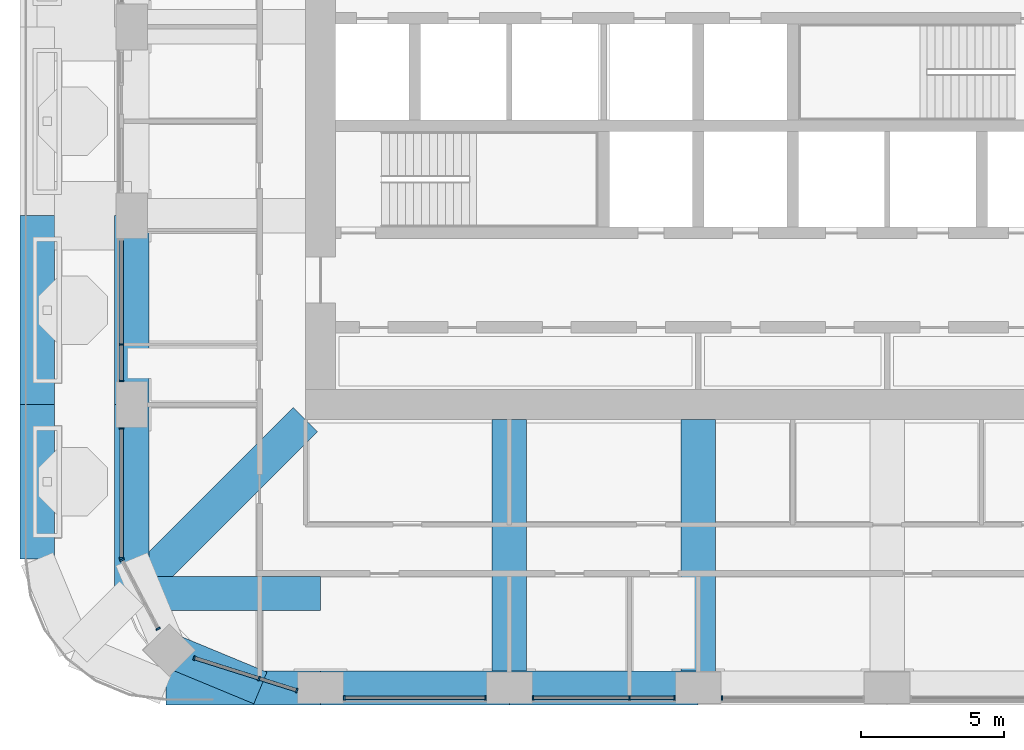
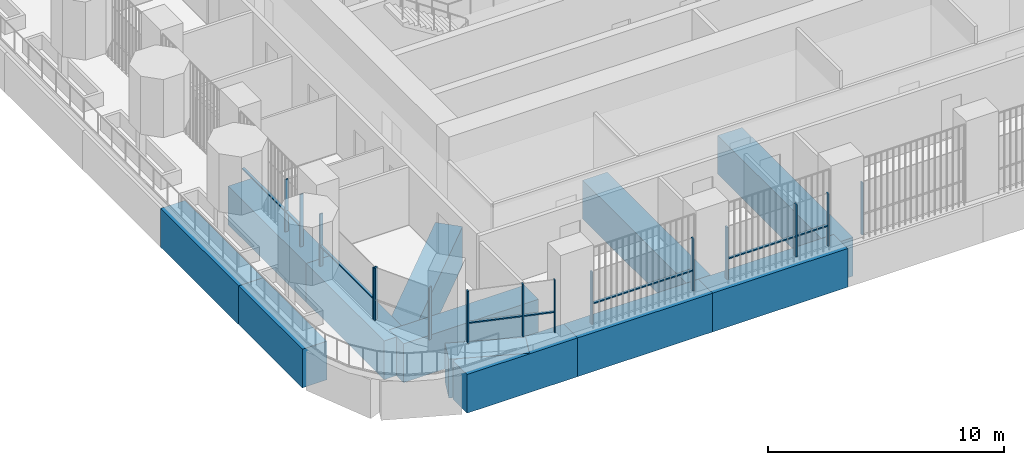
# One storey, part 2 of 24: 23 members, 12 beams, 7 elements without a shape of their own.
"""IFC4 building model written with IfcOpenShell, lengths in metres."""

from ifc_helpers import new_model, si_unit, direction, frame, origin, origin_2d, place, context, subcontext, project, spatial, rectangle, extrude, material, material_profile, profile_set, type_object, element, aggregate, save


model = new_model("IFC4")

# Units and contexts
model_context = context("Model", 3, precision=1e-05, world=origin(), true_north=direction((0.0, 1.0)))
body_context = subcontext(model_context, "Body", "Model", "MODEL_VIEW")
ifc_project = project(units=[si_unit("LENGTHUNIT", "METRE"), si_unit("AREAUNIT", "SQUARE_METRE"), si_unit("VOLUMEUNIT", "CUBIC_METRE"), si_unit("PLANEANGLEUNIT", "RADIAN"), si_unit("MASSUNIT", "GRAM", prefix="KILO")], contexts=[model_context])

# Site, building, storey
site_placement = place(None, origin())
site = spatial("IfcSite", under=ifc_project, at=site_placement, CompositionType="ELEMENT")
building_placement = place(site_placement, origin())
building = spatial("IfcBuilding", under=site, at=building_placement, Name="Cobogo Forest Laboratory Tower", CompositionType="ELEMENT")
storey_placement = place(building_placement, frame((0.0, 0.0, 229.199951171875)))
storey = spatial("IfcBuildingStorey", under=building, at=storey_placement, Name="L52", CompositionType="ELEMENT", Elevation=229.199951171875)

# Curtain wall, members
ifc_material_1 = material(Name="Aluminium curtain wall", Category="aluminium")
curtain_wall_type = type_object("IfcCurtainWallType", Name="CW-2 unitised curtain wall, solar control glazing, laboratory floors zones C and D", PredefinedType="USERDEFINED", material=ifc_material_1)
curtain_wall_1_placement = place(storey_placement, origin())
curtain_wall_1 = element("IfcCurtainWall", 1, at=curtain_wall_1_placement, inside=storey, type_object=curtain_wall_type, Name="Curtain wall 01 L52", ObjectType="UNITISED CURTAIN WALL", PredefinedType="USERDEFINED")
ifc_material_2 = material(Name="Aluminium mullion", Category="aluminium")
ifc_material_profile_1 = material_profile(ifc_material_2, rectangle(XDim=0.06005859375, YDim=0.159912109375, at=origin_2d()), Name="AL 60x160")
ifc_profile_set_1 = profile_set([ifc_material_profile_1], Name="Aluminium mullion")
member_type_1 = type_object("IfcMemberType", Name="MU-1 aluminium mullion 60x160", PredefinedType="MULLION", material=ifc_profile_set_1)
member_1_placement = place(storey_placement, frame((14.030029296875, 2.949951171875, 0.0), z_axis=(0.0, 0.0, 1.0), x_axis=(1.0, 0.0, 0.0)))
member_1 = element("IfcMember", 2, at=member_1_placement, type_object=member_type_1, Name="CW-2 mullion 1", PredefinedType="MULLION", context=body_context, shape_type="SweptSolid", body=[
    extrude(rectangle(XDim=0.06005859375, YDim=0.159912109375, at=origin_2d()), origin(), (0.0, 0.0, 1.0), 2.699951171875),
])
member_2_placement = place(storey_placement, frame((18.969970703125, 2.949951171875, 0.0), z_axis=(0.0, 0.0, 1.0), x_axis=(1.0, 0.0, 0.0)))
member_2 = element("IfcMember", 3, at=member_2_placement, type_object=member_type_1, Name="CW-2 mullion 2", PredefinedType="MULLION", context=body_context, shape_type="SweptSolid", body=[
    extrude(rectangle(XDim=0.06005859375, YDim=0.159912109375, at=origin_2d()), origin(), (0.0, 0.0, 1.0), 2.699951171875),
])

curtain_wall_2_placement = place(storey_placement, origin())
curtain_wall_2 = element("IfcCurtainWall", 4, at=curtain_wall_2_placement, inside=storey, type_object=curtain_wall_type, Name="Curtain wall 02 L52", ObjectType="UNITISED CURTAIN WALL", PredefinedType="USERDEFINED")
member_3_placement = place(storey_placement, frame((20.6298828125, 2.949951171875, 0.0), z_axis=(0.0, 0.0, 1.0), x_axis=(1.0, 0.0, 0.0)))
member_3 = element("IfcMember", 5, at=member_3_placement, type_object=member_type_1, Name="CW-2 mullion 1", PredefinedType="MULLION", context=body_context, shape_type="SweptSolid", body=[
    extrude(rectangle(XDim=0.06005859375, YDim=0.159912109375, at=origin_2d()), origin(), (0.0, 0.0, 1.0), 2.699951171875),
])
member_4_placement = place(storey_placement, frame((24.0, 2.949951171875, 0.0), z_axis=(0.0, 0.0, 1.0), x_axis=(1.0, 0.0, 0.0)))
member_4 = element("IfcMember", 6, at=member_4_placement, type_object=member_type_1, Name="CW-2 mullion 2", PredefinedType="MULLION", context=body_context, shape_type="SweptSolid", body=[
    extrude(rectangle(XDim=0.06005859375, YDim=0.159912109375, at=origin_2d()), origin(), (0.0, 0.0, 1.0), 2.699951171875),
])
member_5_placement = place(storey_placement, frame((25.570068359375, 2.949951171875, 0.0), z_axis=(0.0, 0.0, 1.0), x_axis=(1.0, 0.0, 0.0)))
member_5 = element("IfcMember", 7, at=member_5_placement, type_object=member_type_1, Name="CW-2 mullion 3", PredefinedType="MULLION", context=body_context, shape_type="SweptSolid", body=[
    extrude(rectangle(XDim=0.06005859375, YDim=0.159912109375, at=origin_2d()), origin(), (0.0, 0.0, 1.0), 2.699951171875),
])

# Curtain wall, member
curtain_wall_3_placement = place(storey_placement, origin())
curtain_wall_3 = element("IfcCurtainWall", 8, at=curtain_wall_3_placement, inside=storey, type_object=curtain_wall_type, Name="Curtain wall 03 L52", ObjectType="UNITISED CURTAIN WALL", PredefinedType="USERDEFINED")
member_6_placement = place(storey_placement, frame((27.22998046875, 2.949951171875, 0.0), z_axis=(0.0, 0.0, 1.0), x_axis=(1.0, 0.0, 0.0)))
member_6 = element("IfcMember", 9, at=member_6_placement, type_object=member_type_1, Name="CW-2 mullion 1", PredefinedType="MULLION", context=body_context, shape_type="SweptSolid", body=[
    extrude(rectangle(XDim=0.06005859375, YDim=0.159912109375, at=origin_2d()), origin(), (0.0, 0.0, 1.0), 2.699951171875),
])
aggregate(curtain_wall_3, [member_6])

# Curtain wall, members
curtain_wall_4_placement = place(storey_placement, origin())
curtain_wall_4 = element("IfcCurtainWall", 10, at=curtain_wall_4_placement, inside=storey, type_object=curtain_wall_type, Name="Curtain wall 23 L52", ObjectType="UNITISED CURTAIN WALL", PredefinedType="USERDEFINED")
member_7_placement = place(storey_placement, frame((6.25, 15.300048828125, 0.0), z_axis=(0.0, 0.0, 1.0), x_axis=(0.0, -1.0, 0.0)))
member_7 = element("IfcMember", 11, at=member_7_placement, type_object=member_type_1, Name="CW-2 mullion 2", PredefinedType="MULLION", context=body_context, shape_type="SweptSolid", body=[
    extrude(rectangle(XDim=0.06005859375, YDim=0.159912109375, at=origin_2d()), origin(), (0.0, 0.0, 1.0), 2.699951171875),
])
member_8_placement = place(storey_placement, frame((6.25, 14.030029296875, 0.0), z_axis=(0.0, 0.0, 1.0), x_axis=(0.0, -1.0, 0.0)))
member_8 = element("IfcMember", 12, at=member_8_placement, type_object=member_type_1, Name="CW-2 mullion 3", PredefinedType="MULLION", context=body_context, shape_type="SweptSolid", body=[
    extrude(rectangle(XDim=0.06005859375, YDim=0.159912109375, at=origin_2d()), origin(), (0.0, 0.0, 1.0), 2.699951171875),
])

curtain_wall_5_placement = place(storey_placement, origin())
curtain_wall_5 = element("IfcCurtainWall", 13, at=curtain_wall_5_placement, inside=storey, type_object=curtain_wall_type, Name="Curtain wall 24 L52", ObjectType="UNITISED CURTAIN WALL", PredefinedType="USERDEFINED")
member_9_placement = place(storey_placement, frame((6.25, 12.3701171875, 0.0), z_axis=(0.0, 0.0, 1.0), x_axis=(0.0, -1.0, 0.0)))
member_9 = element("IfcMember", 14, at=member_9_placement, type_object=member_type_1, Name="CW-2 mullion 1", PredefinedType="MULLION", context=body_context, shape_type="SweptSolid", body=[
    extrude(rectangle(XDim=0.06005859375, YDim=0.159912109375, at=origin_2d()), origin(), (0.0, 0.0, 1.0), 2.699951171875),
])
member_10_placement = place(storey_placement, frame((6.25, 7.830078125, 0.0), z_axis=(0.0, 0.0, 1.0), x_axis=(0.0, -1.0, 0.0)))
member_10 = element("IfcMember", 15, at=member_10_placement, type_object=member_type_1, Name="CW-2 mullion 2", PredefinedType="MULLION", context=body_context, shape_type="SweptSolid", body=[
    extrude(rectangle(XDim=0.06005859375, YDim=0.159912109375, at=origin_2d()), origin(), (0.0, 0.0, 1.0), 2.699951171875),
])

curtain_wall_6_placement = place(storey_placement, origin())
curtain_wall_6 = element("IfcCurtainWall", 16, at=curtain_wall_6_placement, inside=storey, type_object=curtain_wall_type, Name="Curtain wall 25 L52", ObjectType="UNITISED CURTAIN WALL", PredefinedType="USERDEFINED")
member_11_placement = place(storey_placement, frame((6.263916015625, 7.7734375, 0.0), z_axis=(0.0, 0.0, 1.0), x_axis=(0.464283685186, -0.885686547075, 0.0)))
member_11 = element("IfcMember", 17, at=member_11_placement, type_object=member_type_1, Name="CW-2 mullion 1", PredefinedType="MULLION", context=body_context, shape_type="SweptSolid", body=[
    extrude(rectangle(XDim=0.06005859375, YDim=0.159912109375, at=origin_2d()), origin(), (0.0, 0.0, 1.0), 2.699951171875),
])
member_12_placement = place(storey_placement, frame((7.524658203125, 5.368408203125, 0.0), z_axis=(0.0, 0.0, 1.0), x_axis=(0.464283685186, -0.885686547075, 0.0)))
member_12 = element("IfcMember", 18, at=member_12_placement, type_object=member_type_1, Name="CW-2 mullion 2", PredefinedType="MULLION", context=body_context, shape_type="SweptSolid", body=[
    extrude(rectangle(XDim=0.06005859375, YDim=0.159912109375, at=origin_2d()), origin(), (0.0, 0.0, 1.0), 2.699951171875),
])
aggregate(curtain_wall_6, [member_11, member_12])

curtain_wall_7_placement = place(storey_placement, origin())
curtain_wall_7 = element("IfcCurtainWall", 19, at=curtain_wall_7_placement, inside=storey, type_object=curtain_wall_type, Name="Curtain wall 26 L52", ObjectType="UNITISED CURTAIN WALL", PredefinedType="USERDEFINED")
member_13_placement = place(storey_placement, frame((8.784912109375, 4.34423828125, 0.0), z_axis=(0.0, 0.0, 1.0), x_axis=(0.953581351952, -0.301135526315, 0.0)))
member_13 = element("IfcMember", 20, at=member_13_placement, type_object=member_type_1, Name="CW-2 mullion 1", PredefinedType="MULLION", context=body_context, shape_type="SweptSolid", body=[
    extrude(rectangle(XDim=0.06005859375, YDim=0.159912109375, at=origin_2d()), origin(), (0.0, 0.0, 1.0), 2.699951171875),
])
member_14_placement = place(storey_placement, frame((11.051025390625, 3.628662109375, 0.0), z_axis=(0.0, 0.0, 1.0), x_axis=(0.953581351952, -0.301135526315, 0.0)))
member_14 = element("IfcMember", 21, at=member_14_placement, type_object=member_type_1, Name="CW-2 mullion 2", PredefinedType="MULLION", context=body_context, shape_type="SweptSolid", body=[
    extrude(rectangle(XDim=0.06005859375, YDim=0.159912109375, at=origin_2d()), origin(), (0.0, 0.0, 1.0), 2.699951171875),
])
member_15_placement = place(storey_placement, frame((12.371337890625, 3.211669921875, 0.0), z_axis=(0.0, 0.0, 1.0), x_axis=(0.953581351952, -0.301135526315, 0.0)))
member_15 = element("IfcMember", 22, at=member_15_placement, type_object=member_type_1, Name="CW-2 mullion 3", PredefinedType="MULLION", context=body_context, shape_type="SweptSolid", body=[
    extrude(rectangle(XDim=0.06005859375, YDim=0.159912109375, at=origin_2d()), origin(), (0.0, 0.0, 1.0), 2.699951171875),
])

# Beams
ifc_material_3 = material(Name="Concrete HA-40 (C40/50)", Category="concrete")
ifc_material_profile_2 = material_profile(ifc_material_3, rectangle(XDim=1.199951171875, YDim=2.0, at=origin_2d()), Name="RC 1200x2000")
ifc_profile_set_2 = profile_set([ifc_material_profile_2], Name="Concrete HA-40 (C40/50)")
beam_type = type_object("IfcBeamType", Name="Setback floor girder 1200x2000", PredefinedType="BEAM", material=ifc_profile_set_2)
for number, where, z_axis, x_axis, name in (
    (23, (19.800048828125, 12.675048828125, -1.300048828125), (0.0, -1.0, 0.0), (1.0, 0.0, 0.0), "TG2 R-4-S L52"),
    (24, (26.39990234375, 12.675048828125, -1.300048828125), (0.0, -1.0, 0.0), (1.0, 0.0, 0.0), "TG2 R-5-S L52"),
):
    element("IfcBeam", number, at=place(storey_placement, frame(where, z_axis=z_axis, x_axis=x_axis)), inside=storey, type_object=beam_type, Name=name, PredefinedType="BEAM", context=body_context, shape_type="SweptSolid", body=[
        extrude(rectangle(XDim=1.199951171875, YDim=2.0, at=origin_2d()), origin(), (0.0, 0.0, 1.0), 9.375),
    ])
for number, where, z_axis, x_axis, name in (
    (25, (6.60009765625, 6.60009765625, -1.300048828125), (0.0, 1.0, 0.0), (-1.0, 0.0, 0.0), "TG2 G-SW-XC L52"),
    (26, (6.60009765625, 6.60009765625, -1.300048828125), (1.0, 0.0, 0.0), (0.0, 1.0, 0.0), "TG2 G-SW-YC L52"),
):
    element("IfcBeam", number, at=place(storey_placement, frame(where, z_axis=z_axis, x_axis=x_axis)), inside=storey, type_object=beam_type, Name=name, PredefinedType="BEAM", context=body_context, shape_type="SweptSolid", body=[
        extrude(rectangle(XDim=1.199951171875, YDim=2.0, at=origin_2d()), origin(), (0.0, 0.0, 1.0), 6.599853515625),
    ])
beam_1_placement = place(storey_placement, frame((6.60009765625, 6.60009765625, -1.300048828125), z_axis=(0.707106781187, 0.707106781187, 0.0), x_axis=(-0.707106781187, 0.707106781187, 0.0)))
element("IfcBeam", 27, at=beam_1_placement, inside=storey, type_object=beam_type, Name="TG2 G-SW-D2 L52", PredefinedType="BEAM", context=body_context, shape_type="SweptSolid", body=[
    extrude(rectangle(XDim=1.199951171875, YDim=2.0, at=origin_2d()), origin(), (0.0, 0.0, 1.0), 8.59130859375),
])
beam_2_placement = place(storey_placement, frame((13.199951171875, 3.300048828125, -1.300048828125), z_axis=(1.0, 0.0, 0.0), x_axis=(0.0, 1.0, 0.0)))
element("IfcBeam", 28, at=beam_2_placement, inside=storey, type_object=beam_type, Name="TG2 E-S1 L52", PredefinedType="BEAM", context=body_context, shape_type="SweptSolid", body=[
    extrude(rectangle(XDim=1.199951171875, YDim=2.0, at=origin_2d()), origin(), (0.0, 0.0, 1.0), 6.60009765625),
])
beam_3_placement = place(storey_placement, frame((19.800048828125, 3.300048828125, -1.300048828125), z_axis=(1.0, 0.0, 0.0), x_axis=(0.0, 1.0, 0.0)))
element("IfcBeam", 29, at=beam_3_placement, inside=storey, type_object=beam_type, Name="TG2 E-S2 L52", PredefinedType="BEAM", context=body_context, shape_type="SweptSolid", body=[
    extrude(rectangle(XDim=1.199951171875, YDim=2.0, at=origin_2d()), origin(), (0.0, 0.0, 1.0), 6.599853515625),
])
beam_4_placement = place(storey_placement, frame((3.300048828125, 13.199951171875, -1.300048828125), z_axis=(0.0, 1.0, 0.0), x_axis=(-1.0, 0.0, 0.0)))
element("IfcBeam", 30, at=beam_4_placement, inside=storey, type_object=beam_type, Name="TG2 E-W1 L52", PredefinedType="BEAM", context=body_context, shape_type="SweptSolid", body=[
    extrude(rectangle(XDim=1.199951171875, YDim=2.0, at=origin_2d()), origin(), (0.0, 0.0, 1.0), 6.60009765625),
])
for number, where, z_axis, x_axis, name in (
    (31, (13.199951171875, 3.300048828125, -1.300048828125), (-1.0, 0.0, 0.0), (0.0, -1.0, 0.0), "TG2 E-SWS1 L52"),
    (32, (3.300048828125, 13.199951171875, -1.300048828125), (0.0, -1.0, 0.0), (1.0, 0.0, 0.0), "TG2 E-SWW1 L52"),
):
    element("IfcBeam", number, at=place(storey_placement, frame(where, z_axis=z_axis, x_axis=x_axis)), inside=storey, type_object=beam_type, Name=name, PredefinedType="BEAM", context=body_context, shape_type="SweptSolid", body=[
        extrude(rectangle(XDim=1.199951171875, YDim=2.0, at=origin_2d()), origin(), (0.0, 0.0, 1.0), 5.39990234375),
    ])
beam_5_placement = place(storey_placement, frame((6.60009765625, 13.199951171875, -1.300048828125), z_axis=(0.0, 1.0, 0.0), x_axis=(-1.0, 0.0, 0.0)))
element("IfcBeam", 33, at=beam_5_placement, inside=storey, type_object=beam_type, Name="TG2 UE-W1 L52", PredefinedType="BEAM", context=body_context, shape_type="SweptSolid", body=[
    extrude(rectangle(XDim=1.199951171875, YDim=2.0, at=origin_2d()), origin(), (0.0, 0.0, 1.0), 6.60009765625),
])
beam_6_placement = place(storey_placement, frame((11.10009765625, 3.300048828125, -1.300048828125), z_axis=(-0.923901072997, 0.382631424892, 0.0), x_axis=(-0.382631424892, -0.923901072997, 0.0)))
element("IfcBeam", 34, at=beam_6_placement, inside=storey, type_object=beam_type, Name="TG2 UE-SWS2 L52", PredefinedType="BEAM", context=body_context, shape_type="SweptSolid", body=[
    extrude(rectangle(XDim=1.199951171875, YDim=2.0, at=origin_2d()), origin(), (0.0, 0.0, 1.0), 3.4443359375),
])

# Member
ifc_material_4 = material(Name="Aluminium transom", Category="aluminium")
ifc_material_profile_3 = material_profile(ifc_material_4, rectangle(XDim=0.1201171875, YDim=0.06005859375, at=origin_2d()), Name="AL 60x120")
ifc_profile_set_3 = profile_set([ifc_material_profile_3], Name="Aluminium transom")
member_type_2 = type_object("IfcMemberType", Name="TR-1 aluminium transom 60x120", PredefinedType="USERDEFINED", material=ifc_profile_set_3)
member_16_placement = place(storey_placement, frame((14.06005859375, 2.949951171875, 1.050048828125), z_axis=(1.0, 0.0, 0.0), x_axis=(0.0, 1.0, 0.0)))
member_16 = element("IfcMember", 35, at=member_16_placement, type_object=member_type_2, Name="CW-2 transom 1.1", ObjectType="TRANSOM", PredefinedType="USERDEFINED", context=body_context, shape_type="SweptSolid", body=[
    extrude(rectangle(XDim=0.1201171875, YDim=0.06005859375, at=origin_2d()), origin(), (0.0, 0.0, 1.0), 4.8798828125),
])

aggregate(curtain_wall_1, [member_1, member_2, member_16])

member_17_placement = place(storey_placement, frame((20.659912109375, 2.949951171875, 1.050048828125), z_axis=(1.0, 0.0, 0.0), x_axis=(0.0, 1.0, 0.0)))
member_17 = element("IfcMember", 36, at=member_17_placement, type_object=member_type_2, Name="CW-2 transom 1.1", ObjectType="TRANSOM", PredefinedType="USERDEFINED", context=body_context, shape_type="SweptSolid", body=[
    extrude(rectangle(XDim=0.1201171875, YDim=0.06005859375, at=origin_2d()), origin(), (0.0, 0.0, 1.0), 3.31005859375),
])

member_18_placement = place(storey_placement, frame((24.030029296875, 2.949951171875, 1.050048828125), z_axis=(1.0, 0.0, 0.0), x_axis=(0.0, 1.0, 0.0)))
member_18 = element("IfcMember", 37, at=member_18_placement, type_object=member_type_2, Name="CW-2 transom 2.1", ObjectType="TRANSOM", PredefinedType="USERDEFINED", context=body_context, shape_type="SweptSolid", body=[
    extrude(rectangle(XDim=0.1201171875, YDim=0.06005859375, at=origin_2d()), origin(), (0.0, 0.0, 1.0), 1.510009765625),
])

aggregate(curtain_wall_2, [member_3, member_4, member_5, member_17, member_18])

member_19_placement = place(storey_placement, frame((6.25, 18.93994140625, 1.050048828125), z_axis=(0.0, -1.0, 0.0), x_axis=(1.0, 0.0, 0.0)))
member_19 = element("IfcMember", 38, at=member_19_placement, type_object=member_type_2, Name="CW-2 transom 1.1", ObjectType="TRANSOM", PredefinedType="USERDEFINED", context=body_context, shape_type="SweptSolid", body=[
    extrude(rectangle(XDim=0.1201171875, YDim=0.06005859375, at=origin_2d()), origin(), (0.0, 0.0, 1.0), 3.60986328125),
])

member_20_placement = place(storey_placement, frame((6.25, 15.27001953125, 1.050048828125), z_axis=(0.0, -1.0, 0.0), x_axis=(1.0, 0.0, 0.0)))
member_20 = element("IfcMember", 39, at=member_20_placement, type_object=member_type_2, Name="CW-2 transom 2.1", ObjectType="TRANSOM", PredefinedType="USERDEFINED", context=body_context, shape_type="SweptSolid", body=[
    extrude(rectangle(XDim=0.1201171875, YDim=0.06005859375, at=origin_2d()), origin(), (0.0, 0.0, 1.0), 1.2099609375),
])

aggregate(curtain_wall_4, [member_7, member_8, member_19, member_20])

member_21_placement = place(storey_placement, frame((6.25, 12.340087890625, 1.050048828125), z_axis=(0.0, -1.0, 0.0), x_axis=(1.0, 0.0, 0.0)))
member_21 = element("IfcMember", 40, at=member_21_placement, type_object=member_type_2, Name="CW-2 transom 1.1", ObjectType="TRANSOM", PredefinedType="USERDEFINED", context=body_context, shape_type="SweptSolid", body=[
    extrude(rectangle(XDim=0.1201171875, YDim=0.06005859375, at=origin_2d()), origin(), (0.0, 0.0, 1.0), 4.47998046875),
])

aggregate(curtain_wall_5, [member_9, member_10, member_21])

member_22_placement = place(storey_placement, frame((8.8134765625, 4.335205078125, 1.050048828125), z_axis=(0.953581072128, -0.30113641241, 0.0), x_axis=(0.30113641241, 0.953581072128, 0.0)))
member_22 = element("IfcMember", 41, at=member_22_placement, type_object=member_type_2, Name="CW-2 transom 1.1", ObjectType="TRANSOM", PredefinedType="USERDEFINED", context=body_context, shape_type="SweptSolid", body=[
    extrude(rectangle(XDim=0.1201171875, YDim=0.06005859375, at=origin_2d()), origin(), (0.0, 0.0, 1.0), 2.316162109375),
])

member_23_placement = place(storey_placement, frame((11.07958984375, 3.61962890625, 1.050048828125), z_axis=(0.953577094138, -0.301149008856, 0.0), x_axis=(0.301149008856, 0.953577094138, 0.0)))
member_23 = element("IfcMember", 42, at=member_23_placement, type_object=member_type_2, Name="CW-2 transom 2.1", ObjectType="TRANSOM", PredefinedType="USERDEFINED", context=body_context, shape_type="SweptSolid", body=[
    extrude(rectangle(XDim=0.1201171875, YDim=0.06005859375, at=origin_2d()), origin(), (0.0, 0.0, 1.0), 1.32470703125),
])

aggregate(curtain_wall_7, [member_13, member_14, member_15, member_22, member_23])

save(model, "model.ifc")
